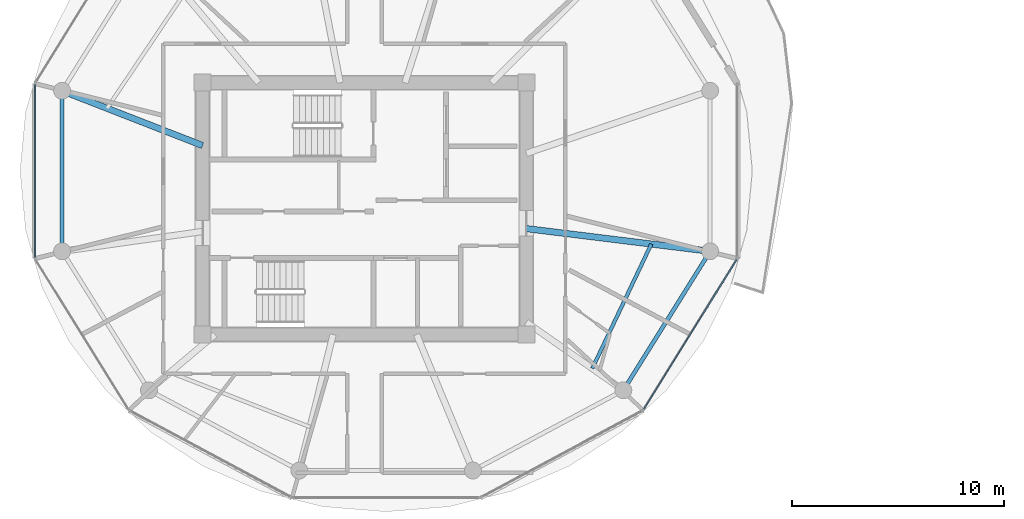
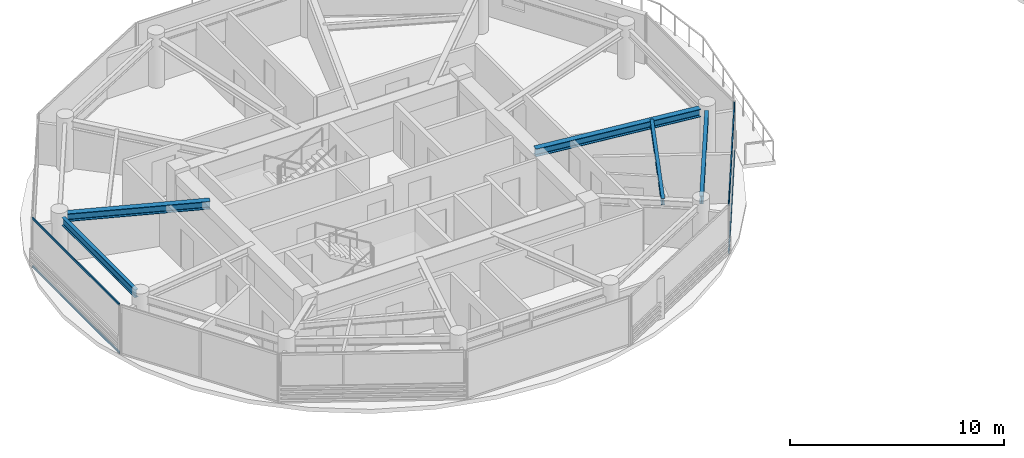
# One storey, part 3 of 21: 5 beams, 4 members, 2 elements without a shape of their own.
"""IFC4 building model written with IfcOpenShell, lengths in metres."""

from ifc_helpers import new_model, si_unit, direction, frame, origin, origin_2d, place, context, subcontext, project, spatial, rectangle, i_section, extrude, source, transform, mapped, material, layer, layer_set, material_profile, profile_set, type_object, type_shapes, element, aggregate, save


model = new_model("IFC4")

# Units and contexts
model_context = context("Model", 3, precision=1e-05, world=origin(), true_north=direction((0.0, 1.0)))
body_context = subcontext(model_context, "Body", "Model", "MODEL_VIEW")
ifc_project = project(units=[si_unit("LENGTHUNIT", "METRE"), si_unit("AREAUNIT", "SQUARE_METRE"), si_unit("VOLUMEUNIT", "CUBIC_METRE"), si_unit("PLANEANGLEUNIT", "RADIAN"), si_unit("MASSUNIT", "GRAM", prefix="KILO")], contexts=[model_context])

# Site, building, storey
site_placement = place(None, origin())
site = spatial("IfcSite", under=ifc_project, at=site_placement, CompositionType="ELEMENT")
building_placement = place(site_placement, origin())
building = spatial("IfcBuilding", under=site, at=building_placement, Name="Norrkilde Senior Care Towers", CompositionType="ELEMENT")
storey_placement = place(building_placement, frame((0.0, 0.0, 140.39990234375)))
storey = spatial("IfcBuildingStorey", under=building, at=storey_placement, Name="L43", CompositionType="ELEMENT", Elevation=140.39990234375)

# Beams
ifc_material_1 = material(Name="Steel S355", Category="steel")
ifc_material_profile_1 = material_profile(ifc_material_1, i_section(OverallWidth=0.18994140625, OverallDepth=0.449951171875, WebThickness=0.009521484375, FlangeThickness=0.0146484375, FilletRadius=0.02099609375, at=origin_2d()), Name="IPE 450")
ifc_profile_set_1 = profile_set([ifc_material_profile_1], Name="Steel S355")
beam_type_1 = type_object("IfcBeamType", Name="Perimeter Ring Spandrel Z3 IPE450", PredefinedType="SPANDREL", material=ifc_profile_set_1)
shared_shape_1 = source(origin(), body_context, "Body", "SweptSolid", [
    extrude(i_section(OverallWidth=0.18994140625, OverallDepth=0.449951171875, WebThickness=0.009521484375, FlangeThickness=0.0146484375, FilletRadius=0.02099609375, at=origin_2d()), origin(), (0.0, 0.0, 1.0), 6.86328125),
])
beam_1_placement = place(storey_placement, frame((-42.284912109375, 5.20703125, 2.585205078125), z_axis=(0.0, -1.0, 0.0), x_axis=(1.0, 0.0, 0.0)))
element("IfcBeam", 1, at=beam_1_placement, inside=storey, type_object=beam_type_1, Name="L43 Drum W Perimeter Spandrel 06", PredefinedType="SPANDREL", context=body_context, shape_type="MappedRepresentation", body=[
    mapped(shared_shape_1, transform((0.0, 0.0, 0.0), x_axis=(1.0, 0.0, 0.0), y_axis=(0.0, 1.0, 0.0), z_axis=(0.0, 0.0, 1.0), scale=1.0)),
])
ifc_material_profile_2 = material_profile(ifc_material_1, i_section(OverallWidth=0.300048828125, OverallDepth=0.449951171875, WebThickness=0.013916015625, FlangeThickness=0.02587890625, FilletRadius=0.027099609375, at=origin_2d()), Name="HEB 450")
ifc_profile_set_2 = profile_set([ifc_material_profile_2], Name="Steel S355")
beam_type_2 = type_object("IfcBeamType", Name="Radial Floor Beam Z3 HEB450", PredefinedType="BEAM", material=ifc_profile_set_2)
shared_shape_2 = source(origin(), body_context, "Body", "SweptSolid", [
    extrude(i_section(OverallWidth=0.300048828125, OverallDepth=0.449951171875, WebThickness=0.013916015625, FlangeThickness=0.02587890625, FilletRadius=0.027099609375, at=origin_2d()), origin(), (0.0, 0.0, 1.0), 6.760986328125),
])
beam_2_placement = place(storey_placement, frame((-35.64990234375, 2.981201171875, 2.585205078125), z_axis=(-0.931742171387, 0.363120539297, 0.0), x_axis=(-0.363120539297, -0.931742171387, 0.0)))
element("IfcBeam", 2, at=beam_2_placement, inside=storey, type_object=beam_type_2, Name="L43 Drum W Radial Floor Beam 06", PredefinedType="BEAM", context=body_context, shape_type="MappedRepresentation", body=[
    mapped(shared_shape_2, transform((0.0, 0.0, 0.0), x_axis=(1.0, 0.0, 0.0), y_axis=(0.0, 1.0, 0.0), z_axis=(0.0, 0.0, 1.0), scale=1.0)),
])
shared_shape_3 = source(origin(), body_context, "Body", "SweptSolid", [
    extrude(i_section(OverallWidth=0.18994140625, OverallDepth=0.449951171875, WebThickness=0.009521484375, FlangeThickness=0.0146484375, FilletRadius=0.02099609375, at=origin_2d()), origin(), (0.0, 0.0, 1.0), 7.023193359375),
])
type_shapes(beam_type_1, [shared_shape_1, shared_shape_3])
beam_3_placement = place(storey_placement, frame((-15.57666015625, -8.2783203125, 2.585205078125), z_axis=(0.529805197269, 0.848119362441, 0.0), x_axis=(-0.848119362441, 0.529805197269, 0.0)))
element("IfcBeam", 3, at=beam_3_placement, inside=storey, type_object=beam_type_1, Name="L43 Drum W Perimeter Spandrel 11", PredefinedType="SPANDREL", context=body_context, shape_type="MappedRepresentation", body=[
    mapped(shared_shape_3, transform((0.0, 0.0, 0.0), x_axis=(1.0, 0.0, 0.0), y_axis=(0.0, 1.0, 0.0), z_axis=(0.0, 0.0, 1.0), scale=1.0)),
])
shared_shape_4 = source(origin(), body_context, "Body", "SweptSolid", [
    extrude(i_section(OverallWidth=0.300048828125, OverallDepth=0.449951171875, WebThickness=0.013916015625, FlangeThickness=0.02587890625, FilletRadius=0.027099609375, at=origin_2d()), origin(), (0.0, 0.0, 1.0), 8.390869140625),
])
type_shapes(beam_type_2, [shared_shape_2, shared_shape_4])
beam_4_placement = place(storey_placement, frame((-20.35009765625, -0.9443359375, 2.585205078125), z_axis=(0.99246916403, -0.122494728249, 0.0), x_axis=(0.122494728249, 0.99246916403, 0.0)))
element("IfcBeam", 4, at=beam_4_placement, inside=storey, type_object=beam_type_2, Name="L43 Drum W Radial Floor Beam 12", PredefinedType="BEAM", context=body_context, shape_type="MappedRepresentation", body=[
    mapped(shared_shape_4, transform((0.0, 0.0, 0.0), x_axis=(1.0, 0.0, 0.0), y_axis=(0.0, 1.0, 0.0), z_axis=(0.0, 0.0, 1.0), scale=1.0)),
])
ifc_material_profile_3 = material_profile(ifc_material_1, i_section(OverallWidth=0.169921875, OverallDepth=0.360107421875, WebThickness=0.008056640625, FlangeThickness=0.0126953125, FilletRadius=0.01806640625, at=origin_2d()), Name="IPE 360")
ifc_profile_set_3 = profile_set([ifc_material_profile_3], Name="Steel S355")
beam_type_3 = type_object("IfcBeamType", Name="Secondary Floor Joist IPE360", PredefinedType="JOIST", material=ifc_profile_set_3)
shared_shape_5 = source(origin(), body_context, "Body", "SweptSolid", [
    extrude(i_section(OverallWidth=0.169921875, OverallDepth=0.360107421875, WebThickness=0.008056640625, FlangeThickness=0.0126953125, FilletRadius=0.01806640625, at=origin_2d()), origin(), (0.0, 0.0, 1.0), 6.50927734375),
])
type_shapes(beam_type_3, [shared_shape_5])
beam_5_placement = place(storey_placement, frame((-17.23388671875, -7.5546875, 2.630126953125), z_axis=(0.428544169129, 0.90352083269, 0.0), x_axis=(-0.90352083269, 0.428544169129, 0.0)))
element("IfcBeam", 5, at=beam_5_placement, inside=storey, type_object=beam_type_3, Name="L43 Drum W Secondary Floor Joist 4", PredefinedType="JOIST", context=body_context, shape_type="MappedRepresentation", body=[
    mapped(shared_shape_5, transform((0.0, 0.0, 0.0), x_axis=(1.0, 0.0, 0.0), y_axis=(0.0, 1.0, 0.0), z_axis=(0.0, 0.0, 1.0), scale=1.0)),
])

# Curtain wall, members
ifc_material_2 = material(Name="Triple Low-E Insulated Glazing", Category="glass")
ifc_layer = layer(ifc_material_2, 0.18994140625)
ifc_layer_set = layer_set([ifc_layer], Name="Triple Low-E Insulated Glazing")
curtain_wall_type = type_object("IfcCurtainWallType", Name="CW4 Zone 3 Senior Residence Curtain Wall", PredefinedType="NOTDEFINED", material=ifc_layer_set)
curtain_wall_1_placement = place(storey_placement, origin())
curtain_wall_1 = element("IfcCurtainWall", 6, at=curtain_wall_1_placement, inside=storey, type_object=curtain_wall_type, Name="L43 Drum W Curtain Wall 10", PredefinedType="NOTDEFINED")
ifc_material_3 = material(Name="Anodised Aluminium", Category="aluminium")
ifc_material_profile_4 = material_profile(ifc_material_3, rectangle(XDim=0.06005859375, YDim=0.1201171875, at=origin_2d()), Name="ALU TRAN 60x120")
ifc_profile_set_4 = profile_set([ifc_material_profile_4], Name="Anodised Aluminium")
member_type = type_object("IfcMemberType", Name="Curtain Wall Transom Typical 60x120", PredefinedType="USERDEFINED", material=ifc_profile_set_4)
shared_shape_6 = source(origin(), body_context, "Body", "SweptSolid", [
    extrude(rectangle(XDim=0.06005859375, YDim=0.1201171875, at=origin_2d()), origin(), (0.0, 0.0, 1.0), 8.301513671875),
])
member_1_placement = place(storey_placement, frame((-10.414794921875, -2.415771484375, 0.030029296875), z_axis=(-0.527368718394, -0.849636531029, 0.0), x_axis=(0.849636531029, -0.527368718394, 0.0)))
member_1 = element("IfcMember", 7, at=member_1_placement, type_object=member_type, Name="CW-4 transom 1.1", ObjectType="TRANSOM", PredefinedType="USERDEFINED", context=body_context, shape_type="MappedRepresentation", body=[
    mapped(shared_shape_6, transform((0.0, 0.0, 0.0), x_axis=(1.0, 0.0, 0.0), y_axis=(0.0, 1.0, 0.0), z_axis=(0.0, 0.0, 1.0), scale=1.0)),
])
member_2_placement = place(storey_placement, frame((-10.414794921875, -2.415771484375, 2.780029296875), z_axis=(-0.527368718394, -0.849636531029, 0.0), x_axis=(0.849636531029, -0.527368718394, 0.0)))
member_2 = element("IfcMember", 8, at=member_2_placement, type_object=member_type, Name="CW-4 transom 1.2", ObjectType="TRANSOM", PredefinedType="USERDEFINED", context=body_context, shape_type="MappedRepresentation", body=[
    mapped(shared_shape_6, transform((0.0, 0.0, 0.0), x_axis=(1.0, 0.0, 0.0), y_axis=(0.0, 1.0, 0.0), z_axis=(0.0, 0.0, 1.0), scale=1.0)),
])
aggregate(curtain_wall_1, [member_1, member_2])

curtain_wall_2_placement = place(storey_placement, origin())
curtain_wall_2 = element("IfcCurtainWall", 9, at=curtain_wall_2_placement, inside=storey, type_object=curtain_wall_type, Name="L43 Drum W Curtain Wall 05", PredefinedType="NOTDEFINED")
shared_shape_7 = source(origin(), body_context, "Body", "SweptSolid", [
    extrude(rectangle(XDim=0.06005859375, YDim=0.1201171875, at=origin_2d()), origin(), (0.0, 0.0, 1.0), 8.141845703125),
])
type_shapes(member_type, [shared_shape_6, shared_shape_7])
member_3_placement = place(storey_placement, frame((-43.569580078125, -2.295654296875, 0.030029296875), z_axis=(0.0, 1.0, 0.0), x_axis=(-1.0, 0.0, 0.0)))
member_3 = element("IfcMember", 10, at=member_3_placement, type_object=member_type, Name="CW-4 transom 1.1", ObjectType="TRANSOM", PredefinedType="USERDEFINED", context=body_context, shape_type="MappedRepresentation", body=[
    mapped(shared_shape_7, transform((0.0, 0.0, 0.0), x_axis=(1.0, 0.0, 0.0), y_axis=(0.0, 1.0, 0.0), z_axis=(0.0, 0.0, 1.0), scale=1.0)),
])
member_4_placement = place(storey_placement, frame((-43.569580078125, -2.295654296875, 2.780029296875), z_axis=(0.0, 1.0, 0.0), x_axis=(-1.0, 0.0, 0.0)))
member_4 = element("IfcMember", 11, at=member_4_placement, type_object=member_type, Name="CW-4 transom 1.2", ObjectType="TRANSOM", PredefinedType="USERDEFINED", context=body_context, shape_type="MappedRepresentation", body=[
    mapped(shared_shape_7, transform((0.0, 0.0, 0.0), x_axis=(1.0, 0.0, 0.0), y_axis=(0.0, 1.0, 0.0), z_axis=(0.0, 0.0, 1.0), scale=1.0)),
])
aggregate(curtain_wall_2, [member_3, member_4])

save(model, "model.ifc")
